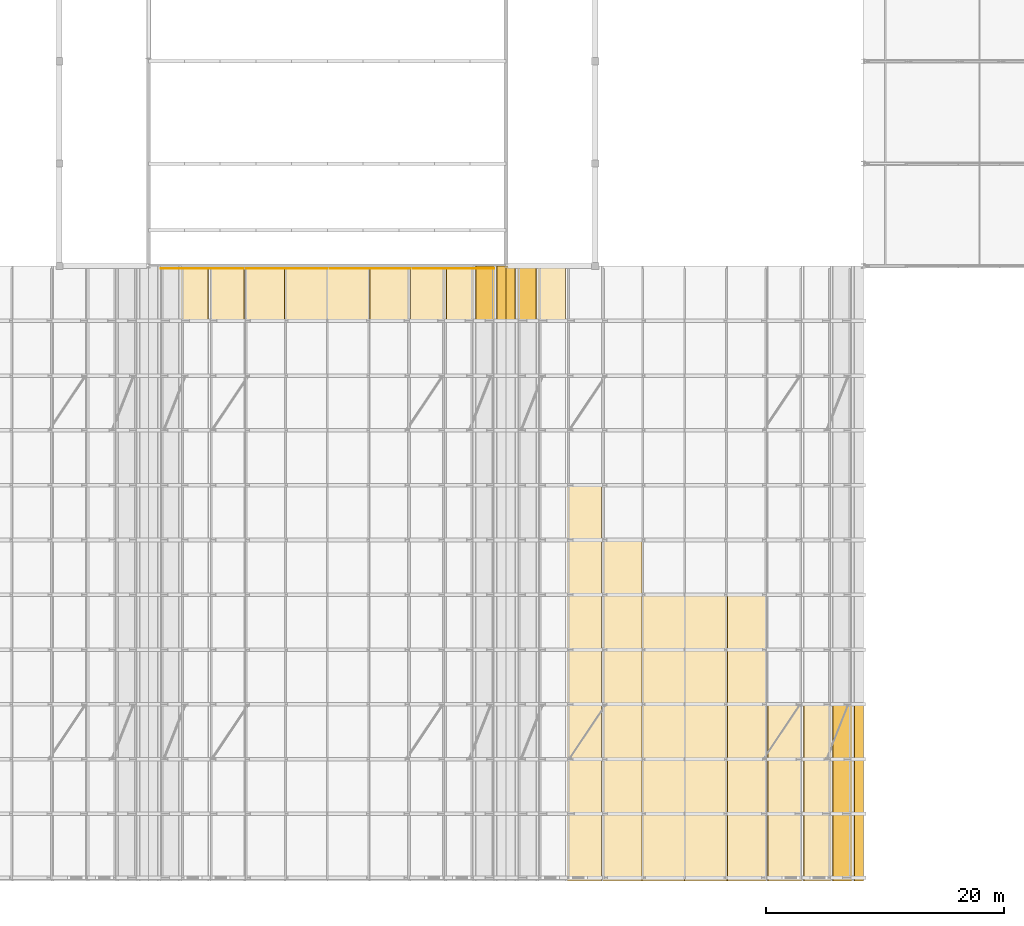
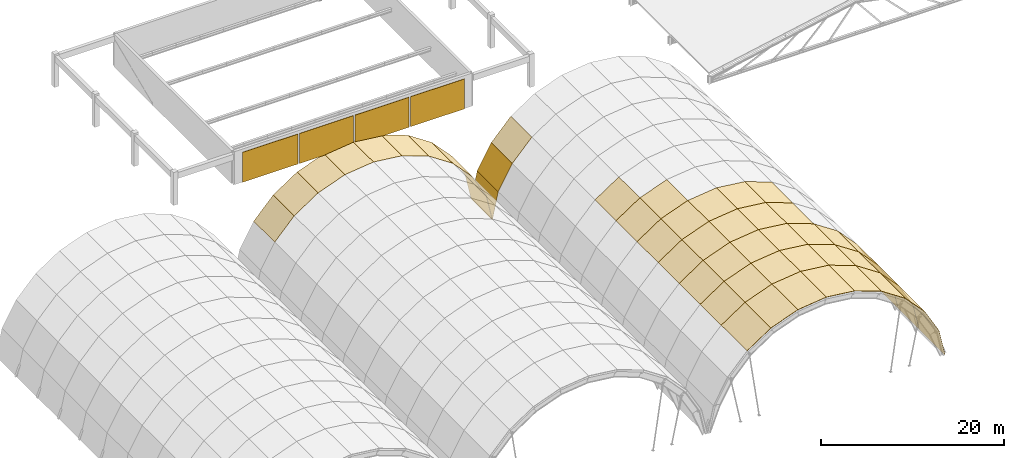
# One storey, part 45 of 47: 57 coverings.
"""IFC4 building model written with IfcOpenShell, lengths in metres."""

from ifc_helpers import new_model, si_unit, direction, frame, origin, origin_2d, place, context, subcontext, project, spatial, polyline, rectangle, outline, extrude, material, layer, layer_set, type_object, element, save


model = new_model("IFC4")

# Units and contexts
model_context = context("Model", 3, precision=1e-05, world=origin(), true_north=direction((0.0, 1.0)))
body_context = subcontext(model_context, "Body", "Model", "MODEL_VIEW")
ifc_project = project(units=[si_unit("LENGTHUNIT", "METRE"), si_unit("AREAUNIT", "SQUARE_METRE"), si_unit("VOLUMEUNIT", "CUBIC_METRE"), si_unit("PLANEANGLEUNIT", "RADIAN"), si_unit("MASSUNIT", "GRAM", prefix="KILO")], contexts=[model_context])

# Site, building, storey
site_placement = place(None, origin())
site = spatial("IfcSite", under=ifc_project, at=site_placement, CompositionType="ELEMENT")
building_placement = place(site_placement, origin())
building = spatial("IfcBuilding", under=site, at=building_placement, Name="Muzn Square Opera House", CompositionType="ELEMENT")
storey_placement = place(building_placement, frame((0.0, 0.0, 31.0)))
storey = spatial("IfcBuildingStorey", under=building, at=storey_placement, Name="RF-1", CompositionType="ELEMENT", Elevation=31.0)

# Coverings
ifc_material_1 = material(Name="Honed Riyadh limestone", Category="stone")
ifc_layer_1 = layer(ifc_material_1, 0.06005859375, Name="Honed Riyadh limestone", Category="stone")
ifc_layer_set_1 = layer_set([ifc_layer_1], Name="Honed Riyadh limestone")
covering_type_1 = type_object("IfcCoveringType", Name="Honed Riyadh Limestone Facade Cladding", PredefinedType="CLADDING", material=ifc_layer_set_1)
covering_1_placement = place(storey_placement, frame((77.5, 72.39990234375, 0.0), z_axis=(0.0, 0.0, 1.0), x_axis=(1.0, 0.0, 0.0)))
element("IfcCovering", 1, at=covering_1_placement, inside=storey, type_object=covering_type_1, Name="Honed Riyadh Limestone Cladding Panel CLD-FT-RF-1-25", PredefinedType="CLADDING", context=body_context, shape_type="SweptSolid", body=[
    extrude(rectangle(XDim=7.0, YDim=0.06005859375, at=origin_2d()), origin(), (0.0, 0.0, 1.0), 4.0),
])
for number, where, z_axis, x_axis, name in (
    (2, (84.60009765625, 72.39990234375, 0.0), (0.0, 0.0, 1.0), (1.0, 0.0, 0.0), "Honed Riyadh Limestone Cladding Panel CLD-FT-RF-1-26"),
    (3, (91.60009765625, 72.39990234375, 0.0), (0.0, 0.0, 1.0), (1.0, 0.0, 0.0), "Honed Riyadh Limestone Cladding Panel CLD-FT-RF-1-27"),
    (4, (98.60009765625, 72.39990234375, 0.0), (0.0, 0.0, 1.0), (1.0, 0.0, 0.0), "Honed Riyadh Limestone Cladding Panel CLD-FT-RF-1-28"),
):
    element("IfcCovering", number, at=place(storey_placement, frame(where, z_axis=z_axis, x_axis=x_axis)), inside=storey, type_object=covering_type_1, Name=name, PredefinedType="CLADDING", context=body_context, shape_type="SweptSolid", body=[
        extrude(rectangle(XDim=6.800048828125, YDim=0.06005859375, at=origin_2d()), origin(), (0.0, 0.0, 1.0), 4.0),
    ])
ifc_material_2 = material(Name="Patina green copper-zinc standing seam", Category="metal")
ifc_layer_2 = layer(ifc_material_2, 0.0400390625, Name="Patina green copper-zinc standing seam", Category="metal")
ifc_layer_set_2 = layer_set([ifc_layer_2], Name="Patina green copper-zinc standing seam")
covering_type_2 = type_object("IfcCoveringType", Name="Standing Seam Green Vault Roofing", PredefinedType="ROOFING", material=ifc_layer_set_2)
covering_2_placement = place(storey_placement, frame((77.99072265625, 68.0, -3.217041015625), z_axis=(-0.732233658575, 0.0, 0.68105349955), x_axis=(0.0, 1.0, 0.0)))
element("IfcCovering", 5, at=covering_2_placement, inside=storey, type_object=covering_type_2, Name="Patina Green Standing Seam Vault Roofing V2-10-F02", PredefinedType="ROOFING", context=body_context, shape_type="SweptSolid", body=[
    extrude(outline(polyline([(0.0, 3.6205970810364114), (0.0, 0.0), (4.60009765625, 0.0), (4.60009765625, 3.6205970810364114), (0.0, 3.6205970810364114)])), origin(), (0.0, 0.0, -1.0), 0.0400390625),
])
covering_3_placement = place(storey_placement, frame((81.005859375, 68.0, -1.212158203125), z_axis=(-0.553703965812, 0.0, 0.832713587162), x_axis=(0.0, 1.0, 0.0)))
element("IfcCovering", 6, at=covering_3_placement, inside=storey, type_object=covering_type_2, Name="Patina Green Standing Seam Vault Roofing V2-10-F03", PredefinedType="ROOFING", context=body_context, shape_type="SweptSolid", body=[
    extrude(outline(polyline([(0.0, 3.620856877123484), (0.0, 0.0), (4.60009765625, 0.0), (4.60009765625, 3.620856877123484), (0.0, 3.620856877123484)])), origin(), (0.0, 0.0, -1.0), 0.0400390625),
])
covering_4_placement = place(storey_placement, frame((84.404296875, 68.0, 0.036376953125), z_axis=(-0.344848988651, 0.0, 0.938658177947), x_axis=(0.0, 1.0, 0.0)))
element("IfcCovering", 7, at=covering_4_placement, inside=storey, type_object=covering_type_2, Name="Patina Green Standing Seam Vault Roofing V2-10-F04", PredefinedType="ROOFING", context=body_context, shape_type="SweptSolid", body=[
    extrude(outline(polyline([(0.0, 3.6205272375440654), (0.0, 0.0), (4.60009765625, 0.0), (4.60009765625, 3.6205272375440654), (0.0, 3.6205272375440654)])), origin(), (0.0, 0.0, -1.0), 0.0400390625),
])
covering_5_placement = place(storey_placement, frame((88.0, 68.0, 0.4599609375), z_axis=(-0.116993830326, 0.0, 0.993132641527), x_axis=(0.0, 1.0, 0.0)))
element("IfcCovering", 8, at=covering_5_placement, inside=storey, type_object=covering_type_2, Name="Patina Green Standing Seam Vault Roofing V2-10-F05", PredefinedType="ROOFING", context=body_context, shape_type="SweptSolid", body=[
    extrude(outline(polyline([(0.0, 3.620566855473569), (0.0, 0.0), (4.60009765625, 0.0), (4.60009765625, 3.620566855473569), (0.0, 3.620566855473569)])), origin(), (0.0, 0.0, -1.0), 0.0400390625),
])
covering_6_placement = place(storey_placement, frame((88.0, 68.0, 0.4599609375), z_axis=(0.116993830326, 0.0, 0.993132641527), x_axis=(0.993132641527, 0.0, -0.116993830326)))
element("IfcCovering", 9, at=covering_6_placement, inside=storey, type_object=covering_type_2, Name="Patina Green Standing Seam Vault Roofing V2-10-F06", PredefinedType="ROOFING", context=body_context, shape_type="SweptSolid", body=[
    extrude(outline(polyline([(0.0, 0.0), (3.620566855473569, 0.0), (3.620566855473569, 4.60009765625), (0.0, 4.60009765625), (0.0, 0.0)])), origin(), (0.0, 0.0, -1.0), 0.0400390625),
])
covering_7_placement = place(storey_placement, frame((91.595703125, 68.0, 0.036376953125), z_axis=(0.344848988651, 0.0, 0.938658177947), x_axis=(0.938658177947, 0.0, -0.344848988651)))
element("IfcCovering", 10, at=covering_7_placement, inside=storey, type_object=covering_type_2, Name="Patina Green Standing Seam Vault Roofing V2-10-F07", PredefinedType="ROOFING", context=body_context, shape_type="SweptSolid", body=[
    extrude(outline(polyline([(0.0, 0.0), (3.6205272375440654, 0.0), (3.6205272375440654, 4.60009765625), (0.0, 4.60009765625), (0.0, 0.0)])), origin(), (0.0, 0.0, -1.0), 0.0400390625),
])
covering_8_placement = place(storey_placement, frame((94.994140625, 68.0, -1.212158203125), z_axis=(0.553703965812, 0.0, 0.832713587162), x_axis=(0.832713587162, 0.0, -0.553703965812)))
element("IfcCovering", 11, at=covering_8_placement, inside=storey, type_object=covering_type_2, Name="Patina Green Standing Seam Vault Roofing V2-10-F08", PredefinedType="ROOFING", context=body_context, shape_type="SweptSolid", body=[
    extrude(outline(polyline([(0.0, 0.0), (3.620856877123484, 0.0), (3.620856877123484, 4.60009765625), (0.0, 4.60009765625), (0.0, 0.0)])), origin(), (0.0, 0.0, -1.0), 0.0400390625),
])
covering_9_placement = place(storey_placement, frame((98.00927734375, 68.0, -3.217041015625), z_axis=(0.732233658575, 0.0, 0.68105349955), x_axis=(0.68105349955, 0.0, -0.732233658575)))
element("IfcCovering", 12, at=covering_9_placement, inside=storey, type_object=covering_type_2, Name="Patina Green Standing Seam Vault Roofing V2-10-F09", PredefinedType="ROOFING", context=body_context, shape_type="SweptSolid", body=[
    extrude(outline(polyline([(0.0, 0.0), (3.6205970810364114, 0.0), (3.6205970810364114, 4.60009765625), (0.0, 4.60009765625), (0.0, 0.0)])), origin(), (0.0, 0.0, -1.0), 0.0400390625),
])
covering_10_placement = place(storey_placement, frame((100.47509765625, 68.0, -5.8681640625), z_axis=(0.870532696062, 0.0, 0.492110582174), x_axis=(0.492110582174, 0.0, -0.870532696062)))
element("IfcCovering", 13, at=covering_10_placement, inside=storey, type_object=covering_type_2, Name="Patina Green Standing Seam Vault Roofing V2-10-F10", PredefinedType="ROOFING", context=body_context, shape_type="SweptSolid", body=[
    extrude(outline(polyline([(0.0, 0.0), (3.6206055016752363, 0.0), (3.6206055016752363, 4.60009765625), (0.0, 4.60009765625), (0.0, 0.0)])), origin(), (0.0, 0.0, -1.0), 0.0400390625),
])
covering_11_placement = place(storey_placement, frame((102.2568359375, 68.0, -9.02001953125), z_axis=(0.976986683404, 0.0, 0.213300305792), x_axis=(0.213300305792, 0.0, -0.976986683404)))
element("IfcCovering", 14, at=covering_11_placement, inside=storey, type_object=covering_type_2, Name="Patina Green Standing Seam Vault Roofing V2-10-F11", PredefinedType="ROOFING", context=body_context, shape_type="SweptSolid", body=[
    extrude(outline(polyline([(0.0, 0.0), (3.5619528166180294, 0.0), (3.5619528166180294, 4.600097656249999), (0.0, 4.600097656249999), (0.0, 0.0)])), origin(), (0.0, 0.0, -1.0), 0.0400390625),
])
covering_12_placement = place(storey_placement, frame((111.005859375, 20.949951171875, -1.212158203125), z_axis=(-0.553703965812, 0.0, 0.832713587162), x_axis=(0.0, 1.0, 0.0)))
element("IfcCovering", 15, at=covering_12_placement, inside=storey, type_object=covering_type_2, Name="Patina Green Standing Seam Vault Roofing V3-00-F03", PredefinedType="ROOFING", context=body_context, shape_type="SweptSolid", body=[
    extrude(outline(polyline([(0.0, 3.620856877123484), (0.0, 0.0), (5.650146484375, 0.0), (5.650146484375, 3.620856877123484), (0.0, 3.620856877123484)])), origin(), (0.0, 0.0, -1.0), 0.0400390625),
])
covering_13_placement = place(storey_placement, frame((114.404296875, 20.949951171875, 0.036376953125), z_axis=(-0.344848988651, 0.0, 0.938658177947), x_axis=(0.0, 1.0, 0.0)))
element("IfcCovering", 16, at=covering_13_placement, inside=storey, type_object=covering_type_2, Name="Patina Green Standing Seam Vault Roofing V3-00-F04", PredefinedType="ROOFING", context=body_context, shape_type="SweptSolid", body=[
    extrude(outline(polyline([(0.0, 3.620527237544065), (0.0, 0.0), (5.650146484375, 0.0), (5.650146484375, 3.620527237544065), (0.0, 3.620527237544065)])), origin(), (0.0, 0.0, -1.0), 0.0400390625),
])
covering_14_placement = place(storey_placement, frame((118.0, 20.949951171875, 0.4599609375), z_axis=(-0.116993830326, 0.0, 0.993132641527), x_axis=(0.0, 1.0, 0.0)))
element("IfcCovering", 17, at=covering_14_placement, inside=storey, type_object=covering_type_2, Name="Patina Green Standing Seam Vault Roofing V3-00-F05", PredefinedType="ROOFING", context=body_context, shape_type="SweptSolid", body=[
    extrude(outline(polyline([(0.0, 3.6205668554735686), (0.0, 0.0), (5.650146484375, 0.0), (5.650146484375, 3.6205668554735686), (0.0, 3.6205668554735686)])), origin(), (0.0, 0.0, -1.0), 0.0400390625),
])
covering_15_placement = place(storey_placement, frame((118.0, 20.949951171875, 0.4599609375), z_axis=(0.116993830326, 0.0, 0.993132641527), x_axis=(0.993132641527, 0.0, -0.116993830326)))
element("IfcCovering", 18, at=covering_15_placement, inside=storey, type_object=covering_type_2, Name="Patina Green Standing Seam Vault Roofing V3-00-F06", PredefinedType="ROOFING", context=body_context, shape_type="SweptSolid", body=[
    extrude(outline(polyline([(0.0, 0.0), (3.620566855473569, 0.0), (3.620566855473569, 5.650146484374999), (0.0, 5.650146484374999), (0.0, 0.0)])), origin(), (0.0, 0.0, -1.0), 0.0400390625),
])
covering_16_placement = place(storey_placement, frame((121.595703125, 20.949951171875, 0.036376953125), z_axis=(0.344848988651, 0.0, 0.938658177947), x_axis=(0.938658177947, 0.0, -0.344848988651)))
element("IfcCovering", 19, at=covering_16_placement, inside=storey, type_object=covering_type_2, Name="Patina Green Standing Seam Vault Roofing V3-00-F07", PredefinedType="ROOFING", context=body_context, shape_type="SweptSolid", body=[
    extrude(outline(polyline([(0.0, 0.0), (3.620527237544066, 0.0), (3.620527237544066, 5.650146484375), (0.0, 5.650146484375), (0.0, 0.0)])), origin(), (0.0, 0.0, -1.0), 0.0400390625),
])
covering_17_placement = place(storey_placement, frame((124.994140625, 20.949951171875, -1.212158203125), z_axis=(0.553703965812, 0.0, 0.832713587162), x_axis=(0.832713587162, 0.0, -0.553703965812)))
element("IfcCovering", 20, at=covering_17_placement, inside=storey, type_object=covering_type_2, Name="Patina Green Standing Seam Vault Roofing V3-00-F08", PredefinedType="ROOFING", context=body_context, shape_type="SweptSolid", body=[
    extrude(outline(polyline([(0.0, 0.0), (3.620856877123484, 0.0), (3.620856877123484, 5.650146484375), (0.0, 5.650146484375), (0.0, 0.0)])), origin(), (0.0, 0.0, -1.0), 0.0400390625),
])
covering_18_placement = place(storey_placement, frame((128.00927734375, 20.949951171875, -3.217041015625), z_axis=(0.732233658575, 0.0, 0.68105349955), x_axis=(0.68105349955, 0.0, -0.732233658575)))
element("IfcCovering", 21, at=covering_18_placement, inside=storey, type_object=covering_type_2, Name="Patina Green Standing Seam Vault Roofing V3-00-F09", PredefinedType="ROOFING", context=body_context, shape_type="SweptSolid", body=[
    extrude(outline(polyline([(0.0, 0.0), (3.6205970810364114, 0.0), (3.6205970810364114, 5.650146484374999), (0.0, 5.650146484374999), (0.0, 0.0)])), origin(), (0.0, 0.0, -1.0), 0.0400390625),
])
covering_19_placement = place(storey_placement, frame((130.47509765625, 20.949951171875, -5.8681640625), z_axis=(0.870532696062, 0.0, 0.492110582174), x_axis=(0.492110582174, 0.0, -0.870532696062)))
element("IfcCovering", 22, at=covering_19_placement, inside=storey, type_object=covering_type_2, Name="Patina Green Standing Seam Vault Roofing V3-00-F10", PredefinedType="ROOFING", context=body_context, shape_type="SweptSolid", body=[
    extrude(outline(polyline([(0.0, 0.0), (3.6206055016752363, 0.0), (3.6206055016752363, 5.650146484375), (0.0, 5.650146484375), (0.0, 0.0)])), origin(), (0.0, 0.0, -1.0), 0.0400390625),
])
covering_20_placement = place(storey_placement, frame((132.2568359375, 20.949951171875, -9.02001953125), z_axis=(0.976986683404, 0.0, 0.213300305792), x_axis=(0.213300305792, 0.0, -0.976986683404)))
element("IfcCovering", 23, at=covering_20_placement, inside=storey, type_object=covering_type_2, Name="Patina Green Standing Seam Vault Roofing V3-00-F11", PredefinedType="ROOFING", context=body_context, shape_type="SweptSolid", body=[
    extrude(outline(polyline([(0.0, 0.0), (3.5619528166180294, 0.0), (3.5619528166180294, 5.650146484375), (0.0, 5.650146484375), (0.0, 0.0)])), origin(), (0.0, 0.0, -1.0), 0.0400390625),
])
covering_21_placement = place(storey_placement, frame((111.005859375, 26.60009765625, -1.212158203125), z_axis=(-0.553703965812, 0.0, 0.832713587162), x_axis=(0.0, 1.0, 0.0)))
element("IfcCovering", 24, at=covering_21_placement, inside=storey, type_object=covering_type_2, Name="Patina Green Standing Seam Vault Roofing V3-01-F03", PredefinedType="ROOFING", context=body_context, shape_type="SweptSolid", body=[
    extrude(outline(polyline([(0.0, 3.620856877123484), (0.0, 0.0), (4.599853515625, 0.0), (4.599853515625, 3.620856877123484), (0.0, 3.620856877123484)])), origin(), (0.0, 0.0, -1.0), 0.0400390625),
])
covering_22_placement = place(storey_placement, frame((114.404296875, 26.60009765625, 0.036376953125), z_axis=(-0.344848988651, 0.0, 0.938658177947), x_axis=(0.0, 1.0, 0.0)))
element("IfcCovering", 25, at=covering_22_placement, inside=storey, type_object=covering_type_2, Name="Patina Green Standing Seam Vault Roofing V3-01-F04", PredefinedType="ROOFING", context=body_context, shape_type="SweptSolid", body=[
    extrude(outline(polyline([(0.0, 3.6205272375440662), (0.0, 0.0), (4.599853515625, 0.0), (4.599853515625, 3.6205272375440662), (0.0, 3.6205272375440662)])), origin(), (0.0, 0.0, -1.0), 0.0400390625),
])
covering_23_placement = place(storey_placement, frame((118.0, 26.60009765625, 0.4599609375), z_axis=(-0.116993830326, 0.0, 0.993132641527), x_axis=(0.0, 1.0, 0.0)))
element("IfcCovering", 26, at=covering_23_placement, inside=storey, type_object=covering_type_2, Name="Patina Green Standing Seam Vault Roofing V3-01-F05", PredefinedType="ROOFING", context=body_context, shape_type="SweptSolid", body=[
    extrude(outline(polyline([(0.0, 3.620566855473569), (0.0, 0.0), (4.599853515625, 0.0), (4.599853515625, 3.620566855473569), (0.0, 3.620566855473569)])), origin(), (0.0, 0.0, -1.0), 0.0400390625),
])
covering_24_placement = place(storey_placement, frame((118.0, 26.60009765625, 0.4599609375), z_axis=(0.116993830326, 0.0, 0.993132641527), x_axis=(0.993132641527, 0.0, -0.116993830326)))
element("IfcCovering", 27, at=covering_24_placement, inside=storey, type_object=covering_type_2, Name="Patina Green Standing Seam Vault Roofing V3-01-F06", PredefinedType="ROOFING", context=body_context, shape_type="SweptSolid", body=[
    extrude(outline(polyline([(0.0, 0.0), (3.620566855473569, 0.0), (3.620566855473569, 4.599853515625), (0.0, 4.599853515625), (0.0, 0.0)])), origin(), (0.0, 0.0, -1.0), 0.0400390625),
])
covering_25_placement = place(storey_placement, frame((121.595703125, 26.60009765625, 0.036376953125), z_axis=(0.344848988651, 0.0, 0.938658177947), x_axis=(0.938658177947, 0.0, -0.344848988651)))
element("IfcCovering", 28, at=covering_25_placement, inside=storey, type_object=covering_type_2, Name="Patina Green Standing Seam Vault Roofing V3-01-F07", PredefinedType="ROOFING", context=body_context, shape_type="SweptSolid", body=[
    extrude(outline(polyline([(0.0, 0.0), (3.620527237544066, 0.0), (3.620527237544066, 4.599853515625001), (0.0, 4.599853515625001), (0.0, 0.0)])), origin(), (0.0, 0.0, -1.0), 0.0400390625),
])
covering_26_placement = place(storey_placement, frame((124.994140625, 26.60009765625, -1.212158203125), z_axis=(0.553703965812, 0.0, 0.832713587162), x_axis=(0.832713587162, 0.0, -0.553703965812)))
element("IfcCovering", 29, at=covering_26_placement, inside=storey, type_object=covering_type_2, Name="Patina Green Standing Seam Vault Roofing V3-01-F08", PredefinedType="ROOFING", context=body_context, shape_type="SweptSolid", body=[
    extrude(outline(polyline([(0.0, 0.0), (3.620856877123484, 0.0), (3.620856877123484, 4.599853515625), (0.0, 4.599853515625), (0.0, 0.0)])), origin(), (0.0, 0.0, -1.0), 0.0400390625),
])
covering_27_placement = place(storey_placement, frame((128.00927734375, 26.60009765625, -3.217041015625), z_axis=(0.732233658575, 0.0, 0.68105349955), x_axis=(0.68105349955, 0.0, -0.732233658575)))
element("IfcCovering", 30, at=covering_27_placement, inside=storey, type_object=covering_type_2, Name="Patina Green Standing Seam Vault Roofing V3-01-F09", PredefinedType="ROOFING", context=body_context, shape_type="SweptSolid", body=[
    extrude(outline(polyline([(0.0, 0.0), (3.6205970810364114, 0.0), (3.6205970810364114, 4.599853515625), (0.0, 4.599853515625), (0.0, 0.0)])), origin(), (0.0, 0.0, -1.0), 0.0400390625),
])
covering_28_placement = place(storey_placement, frame((130.47509765625, 26.60009765625, -5.8681640625), z_axis=(0.870532696062, 0.0, 0.492110582174), x_axis=(0.492110582174, 0.0, -0.870532696062)))
element("IfcCovering", 31, at=covering_28_placement, inside=storey, type_object=covering_type_2, Name="Patina Green Standing Seam Vault Roofing V3-01-F10", PredefinedType="ROOFING", context=body_context, shape_type="SweptSolid", body=[
    extrude(outline(polyline([(0.0, 0.0), (3.620605501675236, 0.0), (3.620605501675236, 4.599853515625001), (0.0, 4.599853515625001), (0.0, 0.0)])), origin(), (0.0, 0.0, -1.0), 0.0400390625),
])
covering_29_placement = place(storey_placement, frame((132.2568359375, 26.60009765625, -9.02001953125), z_axis=(0.976986683404, 0.0, 0.213300305792), x_axis=(0.213300305792, 0.0, -0.976986683404)))
element("IfcCovering", 32, at=covering_29_placement, inside=storey, type_object=covering_type_2, Name="Patina Green Standing Seam Vault Roofing V3-01-F11", PredefinedType="ROOFING", context=body_context, shape_type="SweptSolid", body=[
    extrude(outline(polyline([(0.0, 0.0), (3.5619528166180294, 0.0), (3.5619528166180294, 4.599853515625001), (0.0, 4.599853515625001), (0.0, 0.0)])), origin(), (0.0, 0.0, -1.0), 0.0400390625),
])
covering_30_placement = place(storey_placement, frame((111.005859375, 31.199951171875, -1.212158203125), z_axis=(-0.553703965812, 0.0, 0.832713587162), x_axis=(0.0, 1.0, 0.0)))
element("IfcCovering", 33, at=covering_30_placement, inside=storey, type_object=covering_type_2, Name="Patina Green Standing Seam Vault Roofing V3-02-F03", PredefinedType="ROOFING", context=body_context, shape_type="SweptSolid", body=[
    extrude(outline(polyline([(0.0, 3.620856877123484), (0.0, 0.0), (4.60009765625, 0.0), (4.60009765625, 3.620856877123484), (0.0, 3.620856877123484)])), origin(), (0.0, 0.0, -1.0), 0.0400390625),
])
covering_31_placement = place(storey_placement, frame((114.404296875, 31.199951171875, 0.036376953125), z_axis=(-0.344848988651, 0.0, 0.938658177947), x_axis=(0.0, 1.0, 0.0)))
element("IfcCovering", 34, at=covering_31_placement, inside=storey, type_object=covering_type_2, Name="Patina Green Standing Seam Vault Roofing V3-02-F04", PredefinedType="ROOFING", context=body_context, shape_type="SweptSolid", body=[
    extrude(outline(polyline([(0.0, 3.6205272375440654), (0.0, 0.0), (4.60009765625, 0.0), (4.60009765625, 3.6205272375440654), (0.0, 3.6205272375440654)])), origin(), (0.0, 0.0, -1.0), 0.0400390625),
])
covering_32_placement = place(storey_placement, frame((118.0, 31.199951171875, 0.4599609375), z_axis=(-0.116993830326, 0.0, 0.993132641527), x_axis=(0.0, 1.0, 0.0)))
element("IfcCovering", 35, at=covering_32_placement, inside=storey, type_object=covering_type_2, Name="Patina Green Standing Seam Vault Roofing V3-02-F05", PredefinedType="ROOFING", context=body_context, shape_type="SweptSolid", body=[
    extrude(outline(polyline([(0.0, 3.620566855473569), (0.0, 0.0), (4.60009765625, 0.0), (4.60009765625, 3.620566855473569), (0.0, 3.620566855473569)])), origin(), (0.0, 0.0, -1.0), 0.0400390625),
])
covering_33_placement = place(storey_placement, frame((118.0, 31.199951171875, 0.4599609375), z_axis=(0.116993830326, 0.0, 0.993132641527), x_axis=(0.993132641527, 0.0, -0.116993830326)))
element("IfcCovering", 36, at=covering_33_placement, inside=storey, type_object=covering_type_2, Name="Patina Green Standing Seam Vault Roofing V3-02-F06", PredefinedType="ROOFING", context=body_context, shape_type="SweptSolid", body=[
    extrude(outline(polyline([(0.0, 0.0), (3.620566855473569, 0.0), (3.620566855473569, 4.60009765625), (0.0, 4.60009765625), (0.0, 0.0)])), origin(), (0.0, 0.0, -1.0), 0.0400390625),
])
covering_34_placement = place(storey_placement, frame((121.595703125, 31.199951171875, 0.036376953125), z_axis=(0.344848988651, 0.0, 0.938658177947), x_axis=(0.938658177947, 0.0, -0.344848988651)))
element("IfcCovering", 37, at=covering_34_placement, inside=storey, type_object=covering_type_2, Name="Patina Green Standing Seam Vault Roofing V3-02-F07", PredefinedType="ROOFING", context=body_context, shape_type="SweptSolid", body=[
    extrude(outline(polyline([(0.0, 0.0), (3.6205272375440654, 0.0), (3.6205272375440654, 4.60009765625), (0.0, 4.60009765625), (0.0, 0.0)])), origin(), (0.0, 0.0, -1.0), 0.0400390625),
])
covering_35_placement = place(storey_placement, frame((124.994140625, 31.199951171875, -1.212158203125), z_axis=(0.553703965812, 0.0, 0.832713587162), x_axis=(0.832713587162, 0.0, -0.553703965812)))
element("IfcCovering", 38, at=covering_35_placement, inside=storey, type_object=covering_type_2, Name="Patina Green Standing Seam Vault Roofing V3-02-F08", PredefinedType="ROOFING", context=body_context, shape_type="SweptSolid", body=[
    extrude(outline(polyline([(0.0, 0.0), (3.620856877123484, 0.0), (3.620856877123484, 4.60009765625), (0.0, 4.60009765625), (0.0, 0.0)])), origin(), (0.0, 0.0, -1.0), 0.0400390625),
])
covering_36_placement = place(storey_placement, frame((128.00927734375, 31.199951171875, -3.217041015625), z_axis=(0.732233658575, 0.0, 0.68105349955), x_axis=(0.68105349955, 0.0, -0.732233658575)))
element("IfcCovering", 39, at=covering_36_placement, inside=storey, type_object=covering_type_2, Name="Patina Green Standing Seam Vault Roofing V3-02-F09", PredefinedType="ROOFING", context=body_context, shape_type="SweptSolid", body=[
    extrude(outline(polyline([(0.0, 0.0), (3.6205970810364114, 0.0), (3.6205970810364114, 4.60009765625), (0.0, 4.60009765625), (0.0, 0.0)])), origin(), (0.0, 0.0, -1.0), 0.0400390625),
])
covering_37_placement = place(storey_placement, frame((130.47509765625, 31.199951171875, -5.8681640625), z_axis=(0.870532696062, 0.0, 0.492110582174), x_axis=(0.492110582174, 0.0, -0.870532696062)))
element("IfcCovering", 40, at=covering_37_placement, inside=storey, type_object=covering_type_2, Name="Patina Green Standing Seam Vault Roofing V3-02-F10", PredefinedType="ROOFING", context=body_context, shape_type="SweptSolid", body=[
    extrude(outline(polyline([(0.0, 0.0), (3.6206055016752363, 0.0), (3.6206055016752363, 4.60009765625), (0.0, 4.60009765625), (0.0, 0.0)])), origin(), (0.0, 0.0, -1.0), 0.0400390625),
])
covering_38_placement = place(storey_placement, frame((132.2568359375, 31.199951171875, -9.02001953125), z_axis=(0.976986683404, 0.0, 0.213300305792), x_axis=(0.213300305792, 0.0, -0.976986683404)))
element("IfcCovering", 41, at=covering_38_placement, inside=storey, type_object=covering_type_2, Name="Patina Green Standing Seam Vault Roofing V3-02-F11", PredefinedType="ROOFING", context=body_context, shape_type="SweptSolid", body=[
    extrude(outline(polyline([(0.0, 0.0), (3.5619528166180294, 0.0), (3.5619528166180294, 4.600097656249999), (0.0, 4.600097656249999), (0.0, 0.0)])), origin(), (0.0, 0.0, -1.0), 0.0400390625),
])
covering_39_placement = place(storey_placement, frame((111.005859375, 35.800048828125, -1.212158203125), z_axis=(-0.553703965812, 0.0, 0.832713587162), x_axis=(0.0, 1.0, 0.0)))
element("IfcCovering", 42, at=covering_39_placement, inside=storey, type_object=covering_type_2, Name="Patina Green Standing Seam Vault Roofing V3-03-F03", PredefinedType="ROOFING", context=body_context, shape_type="SweptSolid", body=[
    extrude(outline(polyline([(0.0, 3.620856877123484), (0.0, 0.0), (4.599853515625, 0.0), (4.599853515625, 3.620856877123484), (0.0, 3.620856877123484)])), origin(), (0.0, 0.0, -1.0), 0.0400390625),
])
covering_40_placement = place(storey_placement, frame((114.404296875, 35.800048828125, 0.036376953125), z_axis=(-0.344848988651, 0.0, 0.938658177947), x_axis=(0.0, 1.0, 0.0)))
element("IfcCovering", 43, at=covering_40_placement, inside=storey, type_object=covering_type_2, Name="Patina Green Standing Seam Vault Roofing V3-03-F04", PredefinedType="ROOFING", context=body_context, shape_type="SweptSolid", body=[
    extrude(outline(polyline([(0.0, 3.6205272375440662), (0.0, 0.0), (4.599853515625, 0.0), (4.599853515625, 3.6205272375440662), (0.0, 3.6205272375440662)])), origin(), (0.0, 0.0, -1.0), 0.0400390625),
])
covering_41_placement = place(storey_placement, frame((118.0, 35.800048828125, 0.4599609375), z_axis=(-0.116993830326, 0.0, 0.993132641527), x_axis=(0.0, 1.0, 0.0)))
element("IfcCovering", 44, at=covering_41_placement, inside=storey, type_object=covering_type_2, Name="Patina Green Standing Seam Vault Roofing V3-03-F05", PredefinedType="ROOFING", context=body_context, shape_type="SweptSolid", body=[
    extrude(outline(polyline([(0.0, 3.620566855473569), (0.0, 0.0), (4.599853515625, 0.0), (4.599853515625, 3.620566855473569), (0.0, 3.620566855473569)])), origin(), (0.0, 0.0, -1.0), 0.0400390625),
])
covering_42_placement = place(storey_placement, frame((118.0, 35.800048828125, 0.4599609375), z_axis=(0.116993830326, 0.0, 0.993132641527), x_axis=(0.993132641527, 0.0, -0.116993830326)))
element("IfcCovering", 45, at=covering_42_placement, inside=storey, type_object=covering_type_2, Name="Patina Green Standing Seam Vault Roofing V3-03-F06", PredefinedType="ROOFING", context=body_context, shape_type="SweptSolid", body=[
    extrude(outline(polyline([(0.0, 0.0), (3.620566855473569, 0.0), (3.620566855473569, 4.599853515625), (0.0, 4.599853515625), (0.0, 0.0)])), origin(), (0.0, 0.0, -1.0), 0.0400390625),
])
covering_43_placement = place(storey_placement, frame((121.595703125, 35.800048828125, 0.036376953125), z_axis=(0.344848988651, 0.0, 0.938658177947), x_axis=(0.938658177947, 0.0, -0.344848988651)))
element("IfcCovering", 46, at=covering_43_placement, inside=storey, type_object=covering_type_2, Name="Patina Green Standing Seam Vault Roofing V3-03-F07", PredefinedType="ROOFING", context=body_context, shape_type="SweptSolid", body=[
    extrude(outline(polyline([(0.0, 0.0), (3.620527237544066, 0.0), (3.620527237544066, 4.599853515625001), (0.0, 4.599853515625001), (0.0, 0.0)])), origin(), (0.0, 0.0, -1.0), 0.0400390625),
])
covering_44_placement = place(storey_placement, frame((111.005859375, 40.39990234375, -1.212158203125), z_axis=(-0.553703965812, 0.0, 0.832713587162), x_axis=(0.0, 1.0, 0.0)))
element("IfcCovering", 47, at=covering_44_placement, inside=storey, type_object=covering_type_2, Name="Patina Green Standing Seam Vault Roofing V3-04-F03", PredefinedType="ROOFING", context=body_context, shape_type="SweptSolid", body=[
    extrude(outline(polyline([(0.0, 3.620856877123484), (0.0, 0.0), (4.60009765625, 0.0), (4.60009765625, 3.620856877123484), (0.0, 3.620856877123484)])), origin(), (0.0, 0.0, -1.0), 0.0400390625),
])
covering_45_placement = place(storey_placement, frame((114.404296875, 40.39990234375, 0.036376953125), z_axis=(-0.344848988651, 0.0, 0.938658177947), x_axis=(0.0, 1.0, 0.0)))
element("IfcCovering", 48, at=covering_45_placement, inside=storey, type_object=covering_type_2, Name="Patina Green Standing Seam Vault Roofing V3-04-F04", PredefinedType="ROOFING", context=body_context, shape_type="SweptSolid", body=[
    extrude(outline(polyline([(0.0, 3.6205272375440654), (0.0, 0.0), (4.60009765625, 0.0), (4.60009765625, 3.6205272375440654), (0.0, 3.6205272375440654)])), origin(), (0.0, 0.0, -1.0), 0.0400390625),
])
covering_46_placement = place(storey_placement, frame((118.0, 40.39990234375, 0.4599609375), z_axis=(-0.116993830326, 0.0, 0.993132641527), x_axis=(0.0, 1.0, 0.0)))
element("IfcCovering", 49, at=covering_46_placement, inside=storey, type_object=covering_type_2, Name="Patina Green Standing Seam Vault Roofing V3-04-F05", PredefinedType="ROOFING", context=body_context, shape_type="SweptSolid", body=[
    extrude(outline(polyline([(0.0, 3.620566855473569), (0.0, 0.0), (4.60009765625, 0.0), (4.60009765625, 3.620566855473569), (0.0, 3.620566855473569)])), origin(), (0.0, 0.0, -1.0), 0.0400390625),
])
covering_47_placement = place(storey_placement, frame((118.0, 40.39990234375, 0.4599609375), z_axis=(0.116993830326, 0.0, 0.993132641527), x_axis=(0.993132641527, 0.0, -0.116993830326)))
element("IfcCovering", 50, at=covering_47_placement, inside=storey, type_object=covering_type_2, Name="Patina Green Standing Seam Vault Roofing V3-04-F06", PredefinedType="ROOFING", context=body_context, shape_type="SweptSolid", body=[
    extrude(outline(polyline([(0.0, 0.0), (3.620566855473569, 0.0), (3.620566855473569, 4.60009765625), (0.0, 4.60009765625), (0.0, 0.0)])), origin(), (0.0, 0.0, -1.0), 0.0400390625),
])
covering_48_placement = place(storey_placement, frame((121.595703125, 40.39990234375, 0.036376953125), z_axis=(0.344848988651, 0.0, 0.938658177947), x_axis=(0.938658177947, 0.0, -0.344848988651)))
element("IfcCovering", 51, at=covering_48_placement, inside=storey, type_object=covering_type_2, Name="Patina Green Standing Seam Vault Roofing V3-04-F07", PredefinedType="ROOFING", context=body_context, shape_type="SweptSolid", body=[
    extrude(outline(polyline([(0.0, 0.0), (3.6205272375440654, 0.0), (3.6205272375440654, 4.60009765625), (0.0, 4.60009765625), (0.0, 0.0)])), origin(), (0.0, 0.0, -1.0), 0.0400390625),
])
covering_49_placement = place(storey_placement, frame((111.005859375, 45.0, -1.212158203125), z_axis=(-0.553703965812, 0.0, 0.832713587162), x_axis=(0.0, 1.0, 0.0)))
element("IfcCovering", 52, at=covering_49_placement, inside=storey, type_object=covering_type_2, Name="Patina Green Standing Seam Vault Roofing V3-05-F03", PredefinedType="ROOFING", context=body_context, shape_type="SweptSolid", body=[
    extrude(outline(polyline([(0.0, 3.620856877123484), (0.0, 0.0), (4.60009765625, 0.0), (4.60009765625, 3.620856877123484), (0.0, 3.620856877123484)])), origin(), (0.0, 0.0, -1.0), 0.0400390625),
])
covering_50_placement = place(storey_placement, frame((114.404296875, 45.0, 0.036376953125), z_axis=(-0.344848988651, 0.0, 0.938658177947), x_axis=(0.0, 1.0, 0.0)))
element("IfcCovering", 53, at=covering_50_placement, inside=storey, type_object=covering_type_2, Name="Patina Green Standing Seam Vault Roofing V3-05-F04", PredefinedType="ROOFING", context=body_context, shape_type="SweptSolid", body=[
    extrude(outline(polyline([(0.0, 3.6205272375440654), (0.0, 0.0), (4.60009765625, 0.0), (4.60009765625, 3.6205272375440654), (0.0, 3.6205272375440654)])), origin(), (0.0, 0.0, -1.0), 0.0400390625),
])
covering_51_placement = place(storey_placement, frame((111.005859375, 49.60009765625, -1.212158203125), z_axis=(-0.553703965812, 0.0, 0.832713587162), x_axis=(0.0, 1.0, 0.0)))
element("IfcCovering", 54, at=covering_51_placement, inside=storey, type_object=covering_type_2, Name="Patina Green Standing Seam Vault Roofing V3-06-F03", PredefinedType="ROOFING", context=body_context, shape_type="SweptSolid", body=[
    extrude(outline(polyline([(0.0, 3.620856877123484), (0.0, 0.0), (4.599853515625, 0.0), (4.599853515625, 3.620856877123484), (0.0, 3.620856877123484)])), origin(), (0.0, 0.0, -1.0), 0.0400390625),
])
covering_52_placement = place(storey_placement, frame((103.7431640625, 68.0, -9.02001953125), z_axis=(-0.976986683404, 0.0, 0.213300305792), x_axis=(0.0, 1.0, 0.0)))
element("IfcCovering", 55, at=covering_52_placement, inside=storey, type_object=covering_type_2, Name="Patina Green Standing Seam Vault Roofing V3-10-F00", PredefinedType="ROOFING", context=body_context, shape_type="SweptSolid", body=[
    extrude(outline(polyline([(0.0, 3.561952816618029), (0.0, 0.0), (4.60009765625, 0.0), (4.60009765625, 3.561952816618029), (0.0, 3.561952816618029)])), origin(), (0.0, 0.0, -1.0), 0.0400390625),
])
covering_53_placement = place(storey_placement, frame((105.52490234375, 68.0, -5.8681640625), z_axis=(-0.870532696062, 0.0, 0.492110582174), x_axis=(0.0, 1.0, 0.0)))
element("IfcCovering", 56, at=covering_53_placement, inside=storey, type_object=covering_type_2, Name="Patina Green Standing Seam Vault Roofing V3-10-F01", PredefinedType="ROOFING", context=body_context, shape_type="SweptSolid", body=[
    extrude(outline(polyline([(0.0, 3.620605501675236), (0.0, 0.0), (4.60009765625, 0.0), (4.60009765625, 3.620605501675236), (0.0, 3.620605501675236)])), origin(), (0.0, 0.0, -1.0), 0.0400390625),
])
covering_54_placement = place(storey_placement, frame((107.99072265625, 68.0, -3.217041015625), z_axis=(-0.732233658575, 0.0, 0.68105349955), x_axis=(0.0, 1.0, 0.0)))
element("IfcCovering", 57, at=covering_54_placement, inside=storey, type_object=covering_type_2, Name="Patina Green Standing Seam Vault Roofing V3-10-F02", PredefinedType="ROOFING", context=body_context, shape_type="SweptSolid", body=[
    extrude(outline(polyline([(0.0, 3.6205970810364114), (0.0, 0.0), (4.60009765625, 0.0), (4.60009765625, 3.6205970810364114), (0.0, 3.6205970810364114)])), origin(), (0.0, 0.0, -1.0), 0.0400390625),
])

save(model, "model.ifc")
